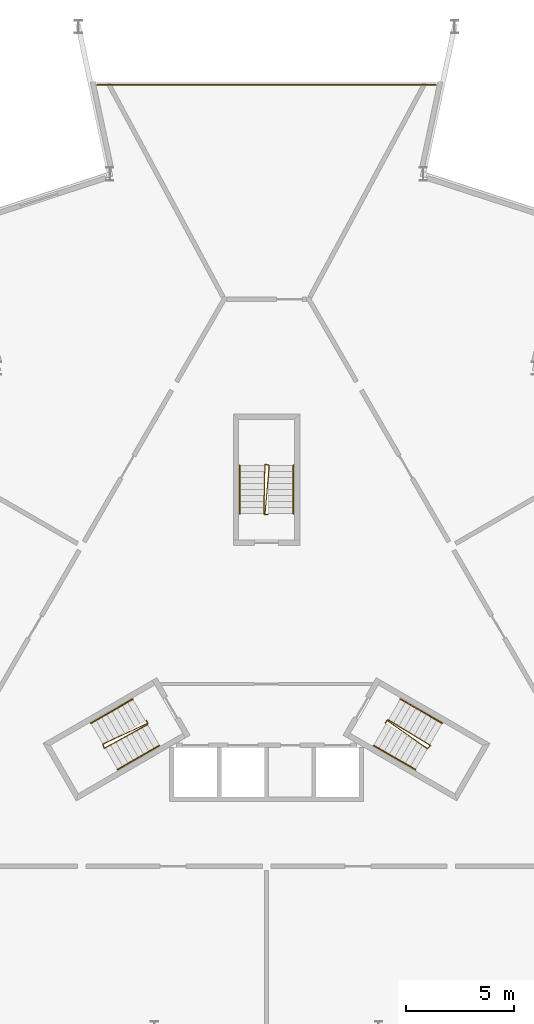
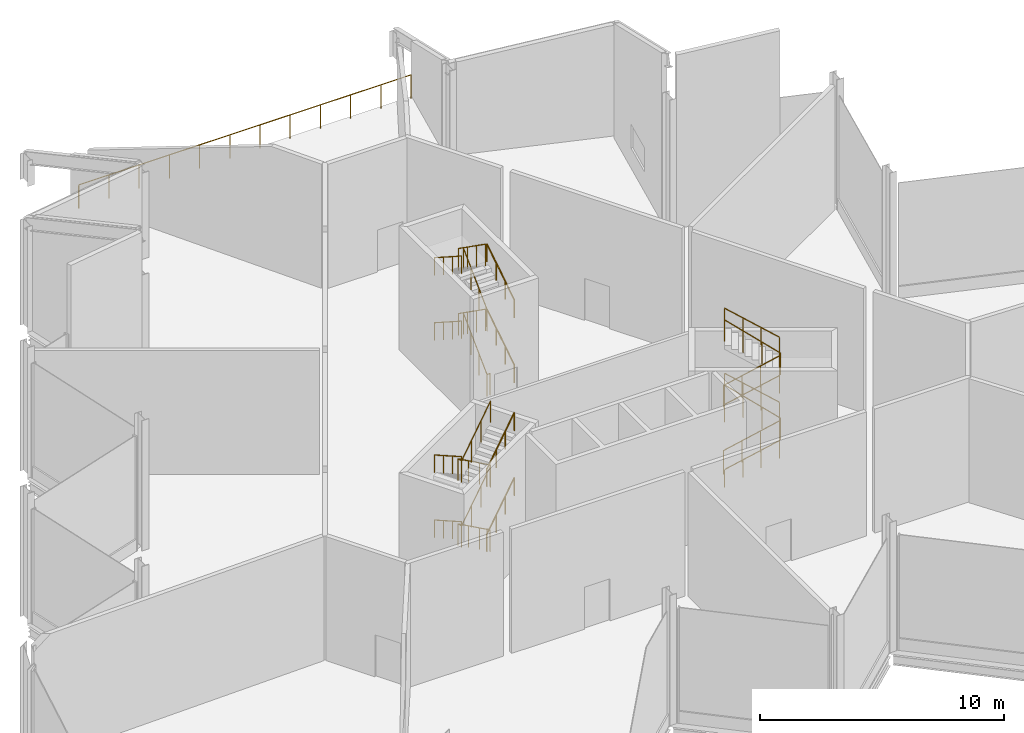
# One storey, part 12 of 12: 16 railings.
"""IFC4 building model written with IfcOpenShell, lengths in metres."""

import ifcopenshell
import ifcopenshell.guid

model = None  # the IFC model being written
_history = None  # IfcOwnerHistory: only IFC2X3 demands one
_inside = {}  # id of a spatial element -> (the spatial element, [elements in it])
_under = {}  # id of a project, library or spatial element -> (it, [spatial elements below it])
_declared = {}  # id of a project -> (the project, [libraries it declares])
_typed = {}  # id of a type object -> (the type object, [elements of that type])
_made_of = {}  # id of a material, layer set ... -> (it, [elements and type objects made of it])


def new_model(schema):
    """Start an empty IFC model of exactly this schema.

    Asked for "IFC4X3", IfcOpenShell would pick the latest addendum, in which some entities
    have other attributes; the version numbers below select the first issue.
    IFC2X3 requires an IfcOwnerHistory on every rooted entity: one is made here for all.
    """
    global model, _history
    if schema == "IFC4X3":
        model = ifcopenshell.file(schema_version=(4, 3, 0, 0))
    else:
        model = ifcopenshell.file(schema=schema)
    _inside.clear()
    _under.clear()
    _declared.clear()
    _typed.clear()
    _made_of.clear()
    _history = None
    if model.schema == "IFC2X3":
        org = make("IfcOrganization", Name="unknown")
        user = make(
            "IfcPersonAndOrganization",
            ThePerson=make("IfcPerson", FamilyName="unknown"),
            TheOrganization=org,
        )
        app = make(
            "IfcApplication",
            ApplicationDeveloper=org,
            Version="unknown",
            ApplicationFullName="unknown",
            ApplicationIdentifier="unknown",
        )
        _history = make(
            "IfcOwnerHistory",
            OwningUser=user,
            OwningApplication=app,
            ChangeAction="ADDED",
            CreationDate=0,
        )
    return model


def make(cls, **values):
    """One entity of the class cls with the attributes given. An attribute that is None is left unset."""
    return model.create_entity(
        cls, **{name: value for name, value in values.items() if value is not None}
    )


def rooted(cls, **values):
    """An entity with a GlobalId (a new one), such as an element, a storey or a relation."""
    return make(cls, GlobalId=ifcopenshell.guid.new(), OwnerHistory=_history, **values)


def si_unit(unit_type, name, prefix=None):
    """IfcSIUnit, for example si_unit("LENGTHUNIT", "METRE", prefix="MILLI")."""
    return make("IfcSIUnit", UnitType=unit_type, Prefix=prefix, Name=name)


def assignment(units):
    """IfcUnitAssignment: the units of a project."""
    return None if units is None else make("IfcUnitAssignment", Units=units)


def point(xyz):
    """IfcCartesianPoint."""
    return None if xyz is None else make("IfcCartesianPoint", Coordinates=xyz)


def direction(xyz):
    """IfcDirection."""
    return None if xyz is None else make("IfcDirection", DirectionRatios=xyz)


def frame(location, z_axis=None, x_axis=None):
    """IfcAxis2Placement3D, a coordinate frame: its origin and axes. An axis left out is left unset."""
    return make(
        "IfcAxis2Placement3D",
        Location=point(location),
        Axis=direction(z_axis),
        RefDirection=direction(x_axis),
    )


def frame_2d(location, x_axis=None):
    """IfcAxis2Placement2D, a coordinate frame in the plane: its origin and x axis."""
    return make(
        "IfcAxis2Placement2D", Location=point(location), RefDirection=direction(x_axis)
    )


def origin():
    """The frame at (0, 0, 0) with its axes left unset."""
    return frame((0.0, 0.0, 0.0))


def origin_2d():
    """The frame at (0, 0) in the plane with its x axis left unset."""
    return frame_2d((0.0, 0.0))


def place(relative_to, where):
    """IfcLocalPlacement: puts the frame where relative to a parent placement (None: the world)."""
    return make(
        "IfcLocalPlacement", PlacementRelTo=relative_to, RelativePlacement=where
    )


def context(
    kind, dimensions, precision=None, world=None, true_north=None, identifier=None
):
    """IfcGeometricRepresentationContext, for example the 3D "Model" context."""
    return make(
        "IfcGeometricRepresentationContext",
        ContextIdentifier=identifier,
        ContextType=kind,
        CoordinateSpaceDimension=dimensions,
        Precision=precision,
        WorldCoordinateSystem=world,
        TrueNorth=true_north,
    )


def subcontext(parent, identifier, kind, view, scale=None):
    """IfcGeometricRepresentationSubContext, for example "Body" below "Model"."""
    return make(
        "IfcGeometricRepresentationSubContext",
        ContextIdentifier=identifier,
        ContextType=kind,
        ParentContext=parent,
        TargetScale=scale,
        TargetView=view,
    )


def project(units=None, contexts=None):
    """IfcProject with its units and contexts."""
    return rooted(
        "IfcProject",
        Name="project",
        RepresentationContexts=contexts,
        UnitsInContext=assignment(units),
    )


def spatial(cls, under=None, at=None, **own):
    """A site, building, storey or space (cls), placed at a placement, below another one or the project."""
    s = rooted(cls, ObjectPlacement=at, **own)
    if under is not None:
        _under.setdefault(under.id(), (under, []))[1].append(s)
    return s


def profile(cls, at=None, kind="AREA", **sizes):
    """A parametric profile (cls). Its sizes go by their IFC names, for example OverallWidth=200.0."""
    return make(cls, ProfileType=kind, Position=at, **sizes)


def circle(**sizes):
    """IfcCircleProfileDef."""
    return profile("IfcCircleProfileDef", **sizes)


def extrude(swept, where, along, depth):
    """IfcExtrudedAreaSolid: the profile swept, set in the frame where, extruded along a direction by depth."""
    return make(
        "IfcExtrudedAreaSolid",
        SweptArea=swept,
        Position=where,
        ExtrudedDirection=direction(along),
        Depth=depth,
    )


def shape(context_of_items, identifier, shape_type, items):
    """IfcShapeRepresentation: the items that make up one representation, for example the "Body"."""
    return make(
        "IfcShapeRepresentation",
        ContextOfItems=context_of_items,
        RepresentationIdentifier=identifier,
        RepresentationType=shape_type,
        Items=items,
    )


def material(Name=None, Category=None):
    """IfcMaterial."""
    return make("IfcMaterial", Name=Name, Category=Category)


def made_of(thing, what):
    """Note that an element or type object is made of a material, layer set ...; save() writes the relation."""
    if what is not None:
        _made_of.setdefault(what.id(), (what, []))[1].append(thing)
    return thing


def type_object(cls, material=None, **own):
    """A type object (cls), such as IfcWallType, which elements share."""
    return made_of(rooted(cls, **own), material)


def element(
    cls,
    number,
    at=None,
    inside=None,
    cuts=None,
    type_object=None,
    material=None,
    context=None,
    identifier="Body",
    shape_type=None,
    held_by="IfcProductDefinitionShape",
    body=None,
    shapes=None,
    **own,
):
    """One element of the class cls, such as IfcWall. Its Tag is "e" and its number.

    at: its placement. inside: the storey or other place that contains it. cuts: it is an
    opening in that element (IfcRelVoidsElement). A single representation is given by context,
    identifier, shape_type and body (its items); several are given by shapes. held_by: the class
    of the entity that holds the representations. save() writes the other relations.
    """
    e = rooted(cls, Tag="e%d" % number, ObjectPlacement=at, **own)
    if body is not None:
        shapes = [shape(context, identifier, shape_type, body)]
    if shapes is not None:
        e.Representation = make(held_by, Representations=shapes)
    if inside is not None:
        _inside.setdefault(inside.id(), (inside, []))[1].append(e)
    if cuts is not None:
        rooted(
            "IfcRelVoidsElement", RelatingBuildingElement=cuts, RelatedOpeningElement=e
        )
    if type_object is not None:
        _typed.setdefault(type_object.id(), (type_object, []))[1].append(e)
    return made_of(e, material)


def aggregate(whole, parts):
    """IfcRelAggregates: a whole, such as a stair, and the parts it consists of."""
    return rooted("IfcRelAggregates", RelatingObject=whole, RelatedObjects=parts)


def save(model, path):
    """Write the relations noted so far, then the file.

    IfcRelAggregates (storeys below a building ...), IfcRelContainedInSpatialStructure (elements
    in a storey), IfcRelDefinesByType, IfcRelAssociatesMaterial and IfcRelDeclares: one each for
    every whole, place, type object, material and project.
    """
    for whole, parts in _under.values():
        aggregate(whole, parts)
    for where, things in _inside.values():
        rooted(
            "IfcRelContainedInSpatialStructure",
            RelatedElements=things,
            RelatingStructure=where,
        )
    for kind, things in _typed.values():
        rooted("IfcRelDefinesByType", RelatedObjects=things, RelatingType=kind)
    for what, things in _made_of.values():
        rooted("IfcRelAssociatesMaterial", RelatedObjects=things, RelatingMaterial=what)
    for by, libraries in _declared.values():
        rooted("IfcRelDeclares", RelatingContext=by, RelatedDefinitions=libraries)
    model.write(path)


model = new_model("IFC4")

# Units and contexts
model_context = context("Model", 3, precision=1e-05, world=origin(), true_north=direction((0.0, 1.0)))
body_context = subcontext(model_context, "Body", "Model", "MODEL_VIEW")
ifc_project = project(units=[si_unit("LENGTHUNIT", "METRE"), si_unit("AREAUNIT", "SQUARE_METRE"), si_unit("VOLUMEUNIT", "CUBIC_METRE"), si_unit("PLANEANGLEUNIT", "RADIAN"), si_unit("MASSUNIT", "GRAM", prefix="KILO")], contexts=[model_context])

# Site, building, storey
site_placement = place(None, origin())
site = spatial("IfcSite", under=ifc_project, at=site_placement, CompositionType="ELEMENT")
building_placement = place(site_placement, origin())
building = spatial("IfcBuilding", under=site, at=building_placement, Name="Cormorant Prow Tower", CompositionType="ELEMENT")
storey_placement = place(building_placement, frame((0.0, 0.0, 434.699951171875)))
storey = spatial("IfcBuildingStorey", under=building, at=storey_placement, Name="L97", CompositionType="ELEMENT", Elevation=434.699951171875)

# Railings
ifc_material_1 = material(Name="Aluminium 6063-T6", Category="aluminium")
railing_type_1 = type_object("IfcRailingType", Name="Crown floor-edge guard 1200", PredefinedType="GUARDRAIL", material=ifc_material_1)
railing_1_placement = place(storey_placement, frame((-7.8544921875, 26.356201171875, 0.0)))
element("IfcRailing", 1, at=railing_1_placement, inside=storey, type_object=railing_type_1, Name="Crown floor edge guard L97", PredefinedType="GUARDRAIL", context=body_context, shape_type="SweptSolid", body=[
    extrude(circle(Radius=0.02392578125, at=origin_2d()), frame((0.0, 0.0, 1.17578125), z_axis=(1.0, 0.0, 0.0), x_axis=(0.0, 1.0, 0.0)), (0.0, 0.0, 1.0), 15.708984375),
    extrude(circle(Radius=0.02099609375, at=origin_2d()), origin(), (0.0, 0.0, 1.0), 1.15185546875),
    extrude(circle(Radius=0.02099609375, at=origin_2d()), frame((1.427978515625, 0.0, 0.0)), (0.0, 0.0, 1.0), 1.15185546875),
    extrude(circle(Radius=0.02099609375, at=origin_2d()), frame((2.856201171875, 0.0, 0.0)), (0.0, 0.0, 1.0), 1.15185546875),
    extrude(circle(Radius=0.02099609375, at=origin_2d()), frame((4.2841796875, 0.0, 0.0)), (0.0, 0.0, 1.0), 1.15185546875),
    extrude(circle(Radius=0.02099609375, at=origin_2d()), frame((5.71240234375, 0.0, 0.0)), (0.0, 0.0, 1.0), 1.15185546875),
    extrude(circle(Radius=0.02099609375, at=origin_2d()), frame((7.140380859375, 0.0, 0.0)), (0.0, 0.0, 1.0), 1.15185546875),
    extrude(circle(Radius=0.02099609375, at=origin_2d()), frame((8.568603515625, 0.0, 0.0)), (0.0, 0.0, 1.0), 1.15185546875),
    extrude(circle(Radius=0.02099609375, at=origin_2d()), frame((9.99658203125, 0.0, 0.0)), (0.0, 0.0, 1.0), 1.15185546875),
    extrude(circle(Radius=0.02099609375, at=origin_2d()), frame((11.4248046875, 0.0, 0.0)), (0.0, 0.0, 1.0), 1.15185546875),
    extrude(circle(Radius=0.02099609375, at=origin_2d()), frame((12.852783203125, 0.0, 0.0)), (0.0, 0.0, 1.0), 1.15185546875),
    extrude(circle(Radius=0.02099609375, at=origin_2d()), frame((14.281005859375, 0.0, 0.0)), (0.0, 0.0, 1.0), 1.15185546875),
    extrude(circle(Radius=0.02099609375, at=origin_2d()), frame((15.708984375, 0.0, 0.0)), (0.0, 0.0, 1.0), 1.15185546875),
])
ifc_material_2 = material(Name="Stainless steel", Category="steel")
railing_type_2 = type_object("IfcRailingType", Name="Stair guard 1100", PredefinedType="GUARDRAIL", material=ifc_material_2)
railing_2_placement = place(storey_placement, frame((-5.585205078125, -3.137939453125, 0.0)))
element("IfcRailing", 2, at=railing_2_placement, inside=storey, type_object=railing_type_2, Name="L97 ST1 stair guard 1", PredefinedType="GUARDRAIL", context=body_context, shape_type="SweptSolid", body=[
    extrude(circle(Radius=0.02392578125, at=origin_2d()), frame((0.0, 0.0, 1.076171875), z_axis=(0.501036270542, -0.865426285481, 0.0), x_axis=(0.865426285481, 0.501036270542, 0.0)), (0.0, 0.0, 1.0), 0.150146484375),
    extrude(circle(Radius=0.02392578125, at=origin_2d()), frame((0.0751953125, -0.1298828125, 1.076171875), z_axis=(-0.740008473092, -0.345244782771, 0.577229157026), x_axis=(0.422792438952, -0.906226546491, 0.0)), (0.0, 0.0, 1.0), 2.815185546875),
    extrude(circle(Radius=0.02392578125, at=origin_2d()), frame((-2.008056640625, -1.101806640625, 2.701171875), z_axis=(0.275034262293, -0.961434425515, 0.0), x_axis=(0.961434425515, 0.275034262293, 0.0)), (0.0, 0.0, 1.0), 0.2060546875),
    extrude(circle(Radius=0.02392578125, at=origin_2d()), frame((-1.951416015625, -1.2998046875, 2.701171875), z_axis=(0.715094700355, 0.392232833455, 0.578612974175), x_axis=(-0.480911908544, 0.87676891837, 0.0)), (0.0, 0.0, 1.0), 2.808349609375),
    extrude(circle(Radius=0.02392578125, at=origin_2d()), frame((0.056884765625, -0.1982421875, 4.326171875), z_axis=(0.258736085224, 0.965948051503, 0.0), x_axis=(-0.965948051503, 0.258736085224, 0.0)), (0.0, 0.0, 1.0), 0.07080078125),
    extrude(circle(Radius=0.02392578125, at=origin_2d()), frame((0.0751953125, -0.1298828125, 4.326171875), z_axis=(-0.740008473092, -0.345244782771, 0.577229157026), x_axis=(0.422792438952, -0.906226546491, 0.0)), (0.0, 0.0, 1.0), 2.815185546875),
    extrude(circle(Radius=0.02392578125, at=origin_2d()), frame((-2.008056640625, -1.101806640625, 5.951171875), z_axis=(0.275034262293, -0.961434425515, 0.0), x_axis=(0.961434425515, 0.275034262293, 0.0)), (0.0, 0.0, 1.0), 0.2060546875),
    extrude(circle(Radius=0.02392578125, at=origin_2d()), frame((-1.951416015625, -1.2998046875, 5.951171875), z_axis=(0.715094700355, 0.392232833455, 0.578612974175), x_axis=(-0.480911908544, 0.87676891837, 0.0)), (0.0, 0.0, 1.0), 2.808349609375),
    extrude(circle(Radius=0.02099609375, at=origin_2d()), origin(), (0.0, 0.0, 1.0), 1.052001953125),
    extrude(circle(Radius=0.02099609375, at=origin_2d()), frame((0.0751953125, -0.1298828125, 0.0)), (0.0, 0.0, 1.0), 1.052001953125),
    extrude(circle(Radius=0.02099609375, at=origin_2d()), frame((-0.619140625, -0.453857421875, 0.541748046875)), (0.0, 0.0, 1.0), 1.052001953125),
    extrude(circle(Radius=0.02099609375, at=origin_2d()), frame((-1.313720703125, -0.77783203125, 1.083251953125)), (0.0, 0.0, 1.0), 1.052001953125),
    extrude(circle(Radius=0.02099609375, at=origin_2d()), frame((-2.008056640625, -1.101806640625, 1.625)), (0.0, 0.0, 1.0), 1.052001953125),
    extrude(circle(Radius=0.02099609375, at=origin_2d()), frame((-1.951416015625, -1.2998046875, 1.625)), (0.0, 0.0, 1.0), 1.052001953125),
    extrude(circle(Radius=0.02099609375, at=origin_2d()), frame((-1.281982421875, -0.9326171875, 2.166748046875)), (0.0, 0.0, 1.0), 1.052001953125),
    extrude(circle(Radius=0.02099609375, at=origin_2d()), frame((-0.612548828125, -0.5654296875, 2.708251953125)), (0.0, 0.0, 1.0), 1.052001953125),
    extrude(circle(Radius=0.02099609375, at=origin_2d()), frame((0.056884765625, -0.1982421875, 3.25)), (0.0, 0.0, 1.0), 1.052001953125),
    extrude(circle(Radius=0.02099609375, at=origin_2d()), frame((0.0751953125, -0.1298828125, 3.25)), (0.0, 0.0, 1.0), 1.052001953125),
    extrude(circle(Radius=0.02099609375, at=origin_2d()), frame((-0.619140625, -0.453857421875, 3.791748046875)), (0.0, 0.0, 1.0), 1.052001953125),
    extrude(circle(Radius=0.02099609375, at=origin_2d()), frame((-1.313720703125, -0.77783203125, 4.333251953125)), (0.0, 0.0, 1.0), 1.052001953125),
    extrude(circle(Radius=0.02099609375, at=origin_2d()), frame((-2.008056640625, -1.101806640625, 4.875)), (0.0, 0.0, 1.0), 1.052001953125),
    extrude(circle(Radius=0.02099609375, at=origin_2d()), frame((-1.951416015625, -1.2998046875, 4.875)), (0.0, 0.0, 1.0), 1.052001953125),
    extrude(circle(Radius=0.02099609375, at=origin_2d()), frame((-1.281982421875, -0.9326171875, 5.416748046875)), (0.0, 0.0, 1.0), 1.052001953125),
    extrude(circle(Radius=0.02099609375, at=origin_2d()), frame((-0.612548828125, -0.5654296875, 5.958251953125)), (0.0, 0.0, 1.0), 1.052001953125),
    extrude(circle(Radius=0.02099609375, at=origin_2d()), frame((0.056884765625, -0.1982421875, 6.5)), (0.0, 0.0, 1.0), 1.052001953125),
])
railing_3_placement = place(storey_placement, frame((5.510009765625, -3.267822265625, 0.0)))
element("IfcRailing", 3, at=railing_3_placement, inside=storey, type_object=railing_type_2, Name="L97 ST2 stair guard 1", PredefinedType="GUARDRAIL", context=body_context, shape_type="SweptSolid", body=[
    extrude(circle(Radius=0.02392578125, at=origin_2d()), frame((0.0, 0.0, 1.076171875), z_axis=(0.501036270542, 0.865426285481, 0.0), x_axis=(-0.865426285481, 0.501036270542, 0.0)), (0.0, 0.0, 1.0), 0.150146484375),
    extrude(circle(Radius=0.02392578125, at=origin_2d()), frame((0.0751953125, 0.1298828125, 1.076171875), z_axis=(0.668948032696, -0.468254949893, 0.577274485365), x_axis=(0.573455215813, 0.819236910458, 0.0)), (0.0, 0.0, 1.0), 2.81494140625),
    extrude(circle(Radius=0.02392578125, at=origin_2d()), frame((1.958251953125, -1.188232421875, 2.701171875), z_axis=(0.695164929852, 0.718850276695, 0.0), x_axis=(-0.718850276695, 0.695164929852, 0.0)), (0.0, 0.0, 1.0), 0.2060546875),
    extrude(circle(Radius=0.02392578125, at=origin_2d()), frame((2.1015625, -1.0400390625, 2.701171875), z_axis=(-0.697276709807, 0.423095093708, 0.578615357246), x_axis=(-0.518752825935, -0.854924268918, 0.0)), (0.0, 0.0, 1.0), 2.808349609375),
    extrude(circle(Radius=0.02392578125, at=origin_2d()), frame((0.143310546875, 0.148193359375, 4.326171875), z_axis=(-0.965715946433, -0.259601060869, 0.0), x_axis=(0.259601060869, -0.965715946433, 0.0)), (0.0, 0.0, 1.0), 0.070556640625),
    extrude(circle(Radius=0.02392578125, at=origin_2d()), frame((0.0751953125, 0.1298828125, 4.326171875), z_axis=(0.668948032696, -0.468254949893, 0.577274485365), x_axis=(0.573455215813, 0.819236910458, 0.0)), (0.0, 0.0, 1.0), 2.81494140625),
    extrude(circle(Radius=0.02392578125, at=origin_2d()), frame((1.958251953125, -1.188232421875, 5.951171875), z_axis=(0.695164929852, 0.718850276695, 0.0), x_axis=(-0.718850276695, 0.695164929852, 0.0)), (0.0, 0.0, 1.0), 0.2060546875),
    extrude(circle(Radius=0.02392578125, at=origin_2d()), frame((2.1015625, -1.0400390625, 5.951171875), z_axis=(-0.697276709807, 0.423095093708, 0.578615357246), x_axis=(-0.518752825935, -0.854924268918, 0.0)), (0.0, 0.0, 1.0), 2.808349609375),
    extrude(circle(Radius=0.02099609375, at=origin_2d()), origin(), (0.0, 0.0, 1.0), 1.052001953125),
    extrude(circle(Radius=0.02099609375, at=origin_2d()), frame((0.0751953125, 0.1298828125, 0.0)), (0.0, 0.0, 1.0), 1.052001953125),
    extrude(circle(Radius=0.02099609375, at=origin_2d()), frame((0.702880859375, -0.3095703125, 0.541748046875)), (0.0, 0.0, 1.0), 1.052001953125),
    extrude(circle(Radius=0.02099609375, at=origin_2d()), frame((1.33056640625, -0.748779296875, 1.083251953125)), (0.0, 0.0, 1.0), 1.052001953125),
    extrude(circle(Radius=0.02099609375, at=origin_2d()), frame((1.958251953125, -1.188232421875, 1.625)), (0.0, 0.0, 1.0), 1.052001953125),
    extrude(circle(Radius=0.02099609375, at=origin_2d()), frame((2.1015625, -1.0400390625, 1.625)), (0.0, 0.0, 1.0), 1.052001953125),
    extrude(circle(Radius=0.02099609375, at=origin_2d()), frame((1.44873046875, -0.64404296875, 2.166748046875)), (0.0, 0.0, 1.0), 1.052001953125),
    extrude(circle(Radius=0.02099609375, at=origin_2d()), frame((0.796142578125, -0.247802734375, 2.708251953125)), (0.0, 0.0, 1.0), 1.052001953125),
    extrude(circle(Radius=0.02099609375, at=origin_2d()), frame((0.143310546875, 0.148193359375, 3.25)), (0.0, 0.0, 1.0), 1.052001953125),
    extrude(circle(Radius=0.02099609375, at=origin_2d()), frame((0.0751953125, 0.1298828125, 3.25)), (0.0, 0.0, 1.0), 1.052001953125),
    extrude(circle(Radius=0.02099609375, at=origin_2d()), frame((0.702880859375, -0.3095703125, 3.791748046875)), (0.0, 0.0, 1.0), 1.052001953125),
    extrude(circle(Radius=0.02099609375, at=origin_2d()), frame((1.33056640625, -0.748779296875, 4.333251953125)), (0.0, 0.0, 1.0), 1.052001953125),
    extrude(circle(Radius=0.02099609375, at=origin_2d()), frame((1.958251953125, -1.188232421875, 4.875)), (0.0, 0.0, 1.0), 1.052001953125),
    extrude(circle(Radius=0.02099609375, at=origin_2d()), frame((2.1015625, -1.0400390625, 4.875)), (0.0, 0.0, 1.0), 1.052001953125),
    extrude(circle(Radius=0.02099609375, at=origin_2d()), frame((1.44873046875, -0.64404296875, 5.416748046875)), (0.0, 0.0, 1.0), 1.052001953125),
    extrude(circle(Radius=0.02099609375, at=origin_2d()), frame((0.796142578125, -0.247802734375, 5.958251953125)), (0.0, 0.0, 1.0), 1.052001953125),
    extrude(circle(Radius=0.02099609375, at=origin_2d()), frame((0.143310546875, 0.148193359375, 6.5)), (0.0, 0.0, 1.0), 1.052001953125),
])
railing_4_placement = place(storey_placement, frame((0.074951171875, 6.40576171875, 0.0)))
element("IfcRailing", 4, at=railing_4_placement, inside=storey, type_object=railing_type_2, Name="L97 ST3 stair guard 1", PredefinedType="GUARDRAIL", context=body_context, shape_type="SweptSolid", body=[
    extrude(circle(Radius=0.02392578125, at=origin_2d()), frame((0.0, 0.0, 1.076171875), z_axis=(-1.0, 0.0, 0.0), x_axis=(0.0, -1.0, 0.0)), (0.0, 0.0, 1.0), 0.14990234375),
    extrude(circle(Radius=0.02392578125, at=origin_2d()), frame((-0.14990234375, 0.0, 1.076171875), z_axis=(0.071027656616, 0.813479144146, 0.577240637893), x_axis=(-0.996209839609, 0.086982500921, 0.0)), (0.0, 0.0, 1.0), 2.815185546875),
    extrude(circle(Radius=0.02392578125, at=origin_2d()), frame((0.050048828125, 2.2900390625, 2.701171875), z_axis=(-0.970072785993, 0.242814311512, 0.0), x_axis=(-0.242814311512, -0.970072785993, 0.0)), (0.0, 0.0, 1.0), 0.2060546875),
    extrude(circle(Radius=0.02392578125, at=origin_2d()), frame((-0.14990234375, 2.340087890625, 2.701171875), z_axis=(-0.017820781196, -0.815409403021, 0.578610339713), x_axis=(0.999761264773, -0.0218497931, 0.0)), (0.0, 0.0, 1.0), 2.808349609375),
    extrude(circle(Radius=0.02392578125, at=origin_2d()), frame((-0.199951171875, 0.050048828125, 4.326171875), z_axis=(0.707106781187, -0.707106781187, 0.0), x_axis=(0.707106781187, 0.707106781187, 0.0)), (0.0, 0.0, 1.0), 0.07080078125),
    extrude(circle(Radius=0.02392578125, at=origin_2d()), frame((-0.14990234375, 0.0, 4.326171875), z_axis=(0.071027656616, 0.813479144146, 0.577240637893), x_axis=(-0.996209839609, 0.086982500921, 0.0)), (0.0, 0.0, 1.0), 2.815185546875),
    extrude(circle(Radius=0.02392578125, at=origin_2d()), frame((0.050048828125, 2.2900390625, 5.951171875), z_axis=(-0.970072785993, 0.242814311512, 0.0), x_axis=(-0.242814311512, -0.970072785993, 0.0)), (0.0, 0.0, 1.0), 0.2060546875),
    extrude(circle(Radius=0.02392578125, at=origin_2d()), frame((-0.14990234375, 2.340087890625, 5.951171875), z_axis=(-0.017820781196, -0.815409403021, 0.578610339713), x_axis=(0.999761264773, -0.0218497931, 0.0)), (0.0, 0.0, 1.0), 2.808349609375),
    extrude(circle(Radius=0.02099609375, at=origin_2d()), origin(), (0.0, 0.0, 1.0), 1.052001953125),
    extrude(circle(Radius=0.02099609375, at=origin_2d()), frame((-0.14990234375, 0.0, 0.0)), (0.0, 0.0, 1.0), 1.052001953125),
    extrude(circle(Radius=0.02099609375, at=origin_2d()), frame((-0.083251953125, 0.763427734375, 0.541748046875)), (0.0, 0.0, 1.0), 1.052001953125),
    extrude(circle(Radius=0.02099609375, at=origin_2d()), frame((-0.0166015625, 1.526611328125, 1.083251953125)), (0.0, 0.0, 1.0), 1.052001953125),
    extrude(circle(Radius=0.02099609375, at=origin_2d()), frame((0.050048828125, 2.2900390625, 1.625)), (0.0, 0.0, 1.0), 1.052001953125),
    extrude(circle(Radius=0.02099609375, at=origin_2d()), frame((-0.14990234375, 2.340087890625, 1.625)), (0.0, 0.0, 1.0), 1.052001953125),
    extrude(circle(Radius=0.02099609375, at=origin_2d()), frame((-0.16650390625, 1.57666015625, 2.166748046875)), (0.0, 0.0, 1.0), 1.052001953125),
    extrude(circle(Radius=0.02099609375, at=origin_2d()), frame((-0.183349609375, 0.8134765625, 2.708251953125)), (0.0, 0.0, 1.0), 1.052001953125),
    extrude(circle(Radius=0.02099609375, at=origin_2d()), frame((-0.199951171875, 0.050048828125, 3.25)), (0.0, 0.0, 1.0), 1.052001953125),
    extrude(circle(Radius=0.02099609375, at=origin_2d()), frame((-0.14990234375, 0.0, 3.25)), (0.0, 0.0, 1.0), 1.052001953125),
    extrude(circle(Radius=0.02099609375, at=origin_2d()), frame((-0.083251953125, 0.763427734375, 3.791748046875)), (0.0, 0.0, 1.0), 1.052001953125),
    extrude(circle(Radius=0.02099609375, at=origin_2d()), frame((-0.0166015625, 1.526611328125, 4.333251953125)), (0.0, 0.0, 1.0), 1.052001953125),
    extrude(circle(Radius=0.02099609375, at=origin_2d()), frame((0.050048828125, 2.2900390625, 4.875)), (0.0, 0.0, 1.0), 1.052001953125),
    extrude(circle(Radius=0.02099609375, at=origin_2d()), frame((-0.14990234375, 2.340087890625, 4.875)), (0.0, 0.0, 1.0), 1.052001953125),
    extrude(circle(Radius=0.02099609375, at=origin_2d()), frame((-0.16650390625, 1.57666015625, 5.416748046875)), (0.0, 0.0, 1.0), 1.052001953125),
    extrude(circle(Radius=0.02099609375, at=origin_2d()), frame((-0.183349609375, 0.8134765625, 5.958251953125)), (0.0, 0.0, 1.0), 1.052001953125),
    extrude(circle(Radius=0.02099609375, at=origin_2d()), frame((-0.199951171875, 0.050048828125, 6.5)), (0.0, 0.0, 1.0), 1.052001953125),
])
ifc_material_3 = material(Name="Stainless steel", Category="steel")
railing_type_3 = type_object("IfcRailingType", Name="Stair handrail 900", PredefinedType="HANDRAIL", material=ifc_material_3)
railing_5_placement = place(storey_placement, frame((-6.212890625, -2.150634765625, 0.1806640625)))
element("IfcRailing", 5, at=railing_5_placement, inside=storey, type_object=railing_type_3, Name="L97 ST1 stair handrail 1", PredefinedType="HANDRAIL", context=body_context, shape_type="SweptSolid", body=[
    extrude(circle(Radius=0.02392578125, at=origin_2d()), frame((0.0, 0.0, 0.8759765625), z_axis=(-0.727862807897, -0.420174515457, 0.541912455514), x_axis=(0.49994888933, -0.866054910533, 0.0)), (0.0, 0.0, 1.0), 2.665283203125),
    extrude(circle(Radius=0.02099609375, at=origin_2d()), origin(), (0.0, 0.0, 1.0), 0.851806640625),
    extrude(circle(Radius=0.02099609375, at=origin_2d()), frame((-0.646728515625, -0.373291015625, 0.4814453125)), (0.0, 0.0, 1.0), 0.851806640625),
    extrude(circle(Radius=0.02099609375, at=origin_2d()), frame((-1.293212890625, -0.74658203125, 0.962890625)), (0.0, 0.0, 1.0), 0.851806640625),
    extrude(circle(Radius=0.02099609375, at=origin_2d()), frame((-1.93994140625, -1.119873046875, 1.4443359375)), (0.0, 0.0, 1.0), 0.851806640625),
])
railing_6_placement = place(storey_placement, frame((-6.90869140625, -5.42529296875, 1.8056640625)))
element("IfcRailing", 6, at=railing_6_placement, inside=storey, type_object=railing_type_3, Name="L97 ST1 stair handrail 2", PredefinedType="HANDRAIL", context=body_context, shape_type="SweptSolid", body=[
    extrude(circle(Radius=0.02392578125, at=origin_2d()), frame((0.0, 0.0, 0.8759765625), z_axis=(0.727791713441, 0.420277958624, 0.541927725201), x_axis=(-0.500077830873, 0.865980463445, 0.0)), (0.0, 0.0, 1.0), 2.665283203125),
    extrude(circle(Radius=0.02099609375, at=origin_2d()), origin(), (0.0, 0.0, 1.0), 0.851806640625),
    extrude(circle(Radius=0.02099609375, at=origin_2d()), frame((0.646484375, 0.373291015625, 0.4814453125)), (0.0, 0.0, 1.0), 0.851806640625),
    extrude(circle(Radius=0.02099609375, at=origin_2d()), frame((1.293212890625, 0.746826171875, 0.962890625)), (0.0, 0.0, 1.0), 0.851806640625),
    extrude(circle(Radius=0.02099609375, at=origin_2d()), frame((1.939697265625, 1.1201171875, 1.4443359375)), (0.0, 0.0, 1.0), 0.851806640625),
])
railing_7_placement = place(storey_placement, frame((-6.212890625, -2.150634765625, 3.4306640625)))
element("IfcRailing", 7, at=railing_7_placement, inside=storey, type_object=railing_type_3, Name="L97 ST1 stair handrail 3", PredefinedType="HANDRAIL", context=body_context, shape_type="SweptSolid", body=[
    extrude(circle(Radius=0.02392578125, at=origin_2d()), frame((0.0, 0.0, 0.8759765625), z_axis=(-0.727862807897, -0.420174515457, 0.541912455514), x_axis=(0.49994888933, -0.866054910533, 0.0)), (0.0, 0.0, 1.0), 2.665283203125),
    extrude(circle(Radius=0.02099609375, at=origin_2d()), origin(), (0.0, 0.0, 1.0), 0.851806640625),
    extrude(circle(Radius=0.02099609375, at=origin_2d()), frame((-0.646728515625, -0.373291015625, 0.4814453125)), (0.0, 0.0, 1.0), 0.851806640625),
    extrude(circle(Radius=0.02099609375, at=origin_2d()), frame((-1.293212890625, -0.74658203125, 0.962890625)), (0.0, 0.0, 1.0), 0.851806640625),
    extrude(circle(Radius=0.02099609375, at=origin_2d()), frame((-1.93994140625, -1.119873046875, 1.4443359375)), (0.0, 0.0, 1.0), 0.851806640625),
])
railing_8_placement = place(storey_placement, frame((-6.90869140625, -5.42529296875, 5.0556640625)))
element("IfcRailing", 8, at=railing_8_placement, inside=storey, type_object=railing_type_3, Name="L97 ST1 stair handrail 4", PredefinedType="HANDRAIL", context=body_context, shape_type="SweptSolid", body=[
    extrude(circle(Radius=0.02392578125, at=origin_2d()), frame((0.0, 0.0, 0.8759765625), z_axis=(0.727791713441, 0.420277958624, 0.541927725201), x_axis=(-0.500077830873, 0.865980463445, 0.0)), (0.0, 0.0, 1.0), 2.665283203125),
    extrude(circle(Radius=0.02099609375, at=origin_2d()), origin(), (0.0, 0.0, 1.0), 0.851806640625),
    extrude(circle(Radius=0.02099609375, at=origin_2d()), frame((0.646484375, 0.373291015625, 0.4814453125)), (0.0, 0.0, 1.0), 0.851806640625),
    extrude(circle(Radius=0.02099609375, at=origin_2d()), frame((1.293212890625, 0.746826171875, 0.962890625)), (0.0, 0.0, 1.0), 0.851806640625),
    extrude(circle(Radius=0.02099609375, at=origin_2d()), frame((1.939697265625, 1.1201171875, 1.4443359375)), (0.0, 0.0, 1.0), 0.851806640625),
])
railing_9_placement = place(storey_placement, frame((4.968994140625, -4.30517578125, 0.1806640625)))
element("IfcRailing", 9, at=railing_9_placement, inside=storey, type_object=railing_type_3, Name="L97 ST2 stair handrail 1", PredefinedType="HANDRAIL", context=body_context, shape_type="SweptSolid", body=[
    extrude(circle(Radius=0.02392578125, at=origin_2d()), frame((0.0, 0.0, 0.8759765625), z_axis=(0.727791713441, -0.420277958624, 0.541927725201), x_axis=(0.500077830873, 0.865980463445, 0.0)), (0.0, 0.0, 1.0), 2.665283203125),
    extrude(circle(Radius=0.02099609375, at=origin_2d()), origin(), (0.0, 0.0, 1.0), 0.851806640625),
    extrude(circle(Radius=0.02099609375, at=origin_2d()), frame((0.646484375, -0.373291015625, 0.4814453125)), (0.0, 0.0, 1.0), 0.851806640625),
    extrude(circle(Radius=0.02099609375, at=origin_2d()), frame((1.293212890625, -0.746826171875, 0.962890625)), (0.0, 0.0, 1.0), 0.851806640625),
    extrude(circle(Radius=0.02099609375, at=origin_2d()), frame((1.939697265625, -1.1201171875, 1.4443359375)), (0.0, 0.0, 1.0), 0.851806640625),
])
railing_10_placement = place(storey_placement, frame((8.15283203125, -3.2705078125, 1.8056640625)))
element("IfcRailing", 10, at=railing_10_placement, inside=storey, type_object=railing_type_3, Name="L97 ST2 stair handrail 2", PredefinedType="HANDRAIL", context=body_context, shape_type="SweptSolid", body=[
    extrude(circle(Radius=0.02392578125, at=origin_2d()), frame((0.0, 0.0, 0.8759765625), z_axis=(-0.727862807897, 0.420174515457, 0.541912455514), x_axis=(-0.49994888933, -0.866054910533, 0.0)), (0.0, 0.0, 1.0), 2.665283203125),
    extrude(circle(Radius=0.02099609375, at=origin_2d()), origin(), (0.0, 0.0, 1.0), 0.851806640625),
    extrude(circle(Radius=0.02099609375, at=origin_2d()), frame((-0.646728515625, 0.373291015625, 0.4814453125)), (0.0, 0.0, 1.0), 0.851806640625),
    extrude(circle(Radius=0.02099609375, at=origin_2d()), frame((-1.293212890625, 0.74658203125, 0.962890625)), (0.0, 0.0, 1.0), 0.851806640625),
    extrude(circle(Radius=0.02099609375, at=origin_2d()), frame((-1.93994140625, 1.119873046875, 1.4443359375)), (0.0, 0.0, 1.0), 0.851806640625),
])
railing_11_placement = place(storey_placement, frame((4.968994140625, -4.30517578125, 3.4306640625)))
element("IfcRailing", 11, at=railing_11_placement, inside=storey, type_object=railing_type_3, Name="L97 ST2 stair handrail 3", PredefinedType="HANDRAIL", context=body_context, shape_type="SweptSolid", body=[
    extrude(circle(Radius=0.02392578125, at=origin_2d()), frame((0.0, 0.0, 0.8759765625), z_axis=(0.727791713441, -0.420277958624, 0.541927725201), x_axis=(0.500077830873, 0.865980463445, 0.0)), (0.0, 0.0, 1.0), 2.665283203125),
    extrude(circle(Radius=0.02099609375, at=origin_2d()), origin(), (0.0, 0.0, 1.0), 0.851806640625),
    extrude(circle(Radius=0.02099609375, at=origin_2d()), frame((0.646484375, -0.373291015625, 0.4814453125)), (0.0, 0.0, 1.0), 0.851806640625),
    extrude(circle(Radius=0.02099609375, at=origin_2d()), frame((1.293212890625, -0.746826171875, 0.962890625)), (0.0, 0.0, 1.0), 0.851806640625),
    extrude(circle(Radius=0.02099609375, at=origin_2d()), frame((1.939697265625, -1.1201171875, 1.4443359375)), (0.0, 0.0, 1.0), 0.851806640625),
])
railing_12_placement = place(storey_placement, frame((8.15283203125, -3.2705078125, 5.0556640625)))
element("IfcRailing", 12, at=railing_12_placement, inside=storey, type_object=railing_type_3, Name="L97 ST2 stair handrail 4", PredefinedType="HANDRAIL", context=body_context, shape_type="SweptSolid", body=[
    extrude(circle(Radius=0.02392578125, at=origin_2d()), frame((0.0, 0.0, 0.8759765625), z_axis=(-0.727862807897, 0.420174515457, 0.541912455514), x_axis=(-0.49994888933, -0.866054910533, 0.0)), (0.0, 0.0, 1.0), 2.665283203125),
    extrude(circle(Radius=0.02099609375, at=origin_2d()), origin(), (0.0, 0.0, 1.0), 0.851806640625),
    extrude(circle(Radius=0.02099609375, at=origin_2d()), frame((-0.646728515625, 0.373291015625, 0.4814453125)), (0.0, 0.0, 1.0), 0.851806640625),
    extrude(circle(Radius=0.02099609375, at=origin_2d()), frame((-1.293212890625, 0.74658203125, 0.962890625)), (0.0, 0.0, 1.0), 0.851806640625),
    extrude(circle(Radius=0.02099609375, at=origin_2d()), frame((-1.93994140625, 1.119873046875, 1.4443359375)), (0.0, 0.0, 1.0), 0.851806640625),
])
railing_13_placement = place(storey_placement, frame((1.243896484375, 6.455810546875, 0.1806640625)))
element("IfcRailing", 13, at=railing_13_placement, inside=storey, type_object=railing_type_3, Name="L97 ST3 stair handrail 1", PredefinedType="HANDRAIL", context=body_context, shape_type="SweptSolid", body=[
    extrude(circle(Radius=0.02392578125, at=origin_2d()), frame((0.0, 0.0, 0.8759765625), z_axis=(0.0, 0.840436612492, 0.541909863706), x_axis=(-1.0, 0.0, 0.0)), (0.0, 0.0, 1.0), 2.665283203125),
    extrude(circle(Radius=0.02099609375, at=origin_2d()), origin(), (0.0, 0.0, 1.0), 0.851806640625),
    extrude(circle(Radius=0.02099609375, at=origin_2d()), frame((0.0, 0.74658203125, 0.4814453125)), (0.0, 0.0, 1.0), 0.851806640625),
    extrude(circle(Radius=0.02099609375, at=origin_2d()), frame((0.0, 1.493408203125, 0.962890625)), (0.0, 0.0, 1.0), 0.851806640625),
    extrude(circle(Radius=0.02099609375, at=origin_2d()), frame((0.0, 2.239990234375, 1.4443359375)), (0.0, 0.0, 1.0), 0.851806640625),
])
railing_14_placement = place(storey_placement, frame((-1.243896484375, 8.69580078125, 1.8056640625)))
element("IfcRailing", 14, at=railing_14_placement, inside=storey, type_object=railing_type_3, Name="L97 ST3 stair handrail 2", PredefinedType="HANDRAIL", context=body_context, shape_type="SweptSolid", body=[
    extrude(circle(Radius=0.02392578125, at=origin_2d()), frame((0.0, 0.0, 0.8759765625), z_axis=(0.0, -0.840436612492, 0.541909863706), x_axis=(1.0, 0.0, 0.0)), (0.0, 0.0, 1.0), 2.665283203125),
    extrude(circle(Radius=0.02099609375, at=origin_2d()), origin(), (0.0, 0.0, 1.0), 0.851806640625),
    extrude(circle(Radius=0.02099609375, at=origin_2d()), frame((0.0, -0.74658203125, 0.4814453125)), (0.0, 0.0, 1.0), 0.851806640625),
    extrude(circle(Radius=0.02099609375, at=origin_2d()), frame((0.0, -1.493408203125, 0.962890625)), (0.0, 0.0, 1.0), 0.851806640625),
    extrude(circle(Radius=0.02099609375, at=origin_2d()), frame((0.0, -2.239990234375, 1.4443359375)), (0.0, 0.0, 1.0), 0.851806640625),
])
railing_15_placement = place(storey_placement, frame((1.243896484375, 6.455810546875, 3.4306640625)))
element("IfcRailing", 15, at=railing_15_placement, inside=storey, type_object=railing_type_3, Name="L97 ST3 stair handrail 3", PredefinedType="HANDRAIL", context=body_context, shape_type="SweptSolid", body=[
    extrude(circle(Radius=0.02392578125, at=origin_2d()), frame((0.0, 0.0, 0.8759765625), z_axis=(0.0, 0.840436612492, 0.541909863706), x_axis=(-1.0, 0.0, 0.0)), (0.0, 0.0, 1.0), 2.665283203125),
    extrude(circle(Radius=0.02099609375, at=origin_2d()), origin(), (0.0, 0.0, 1.0), 0.851806640625),
    extrude(circle(Radius=0.02099609375, at=origin_2d()), frame((0.0, 0.74658203125, 0.4814453125)), (0.0, 0.0, 1.0), 0.851806640625),
    extrude(circle(Radius=0.02099609375, at=origin_2d()), frame((0.0, 1.493408203125, 0.962890625)), (0.0, 0.0, 1.0), 0.851806640625),
    extrude(circle(Radius=0.02099609375, at=origin_2d()), frame((0.0, 2.239990234375, 1.4443359375)), (0.0, 0.0, 1.0), 0.851806640625),
])
railing_16_placement = place(storey_placement, frame((-1.243896484375, 8.69580078125, 5.0556640625)))
element("IfcRailing", 16, at=railing_16_placement, inside=storey, type_object=railing_type_3, Name="L97 ST3 stair handrail 4", PredefinedType="HANDRAIL", context=body_context, shape_type="SweptSolid", body=[
    extrude(circle(Radius=0.02392578125, at=origin_2d()), frame((0.0, 0.0, 0.8759765625), z_axis=(0.0, -0.840436612492, 0.541909863706), x_axis=(1.0, 0.0, 0.0)), (0.0, 0.0, 1.0), 2.665283203125),
    extrude(circle(Radius=0.02099609375, at=origin_2d()), origin(), (0.0, 0.0, 1.0), 0.851806640625),
    extrude(circle(Radius=0.02099609375, at=origin_2d()), frame((0.0, -0.74658203125, 0.4814453125)), (0.0, 0.0, 1.0), 0.851806640625),
    extrude(circle(Radius=0.02099609375, at=origin_2d()), frame((0.0, -1.493408203125, 0.962890625)), (0.0, 0.0, 1.0), 0.851806640625),
    extrude(circle(Radius=0.02099609375, at=origin_2d()), frame((0.0, -2.239990234375, 1.4443359375)), (0.0, 0.0, 1.0), 0.851806640625),
])

save(model, "model.ifc")
